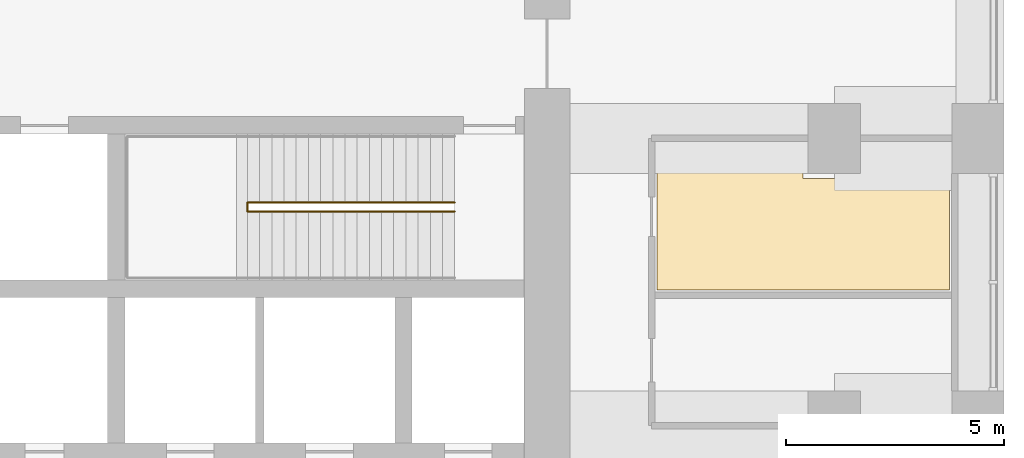
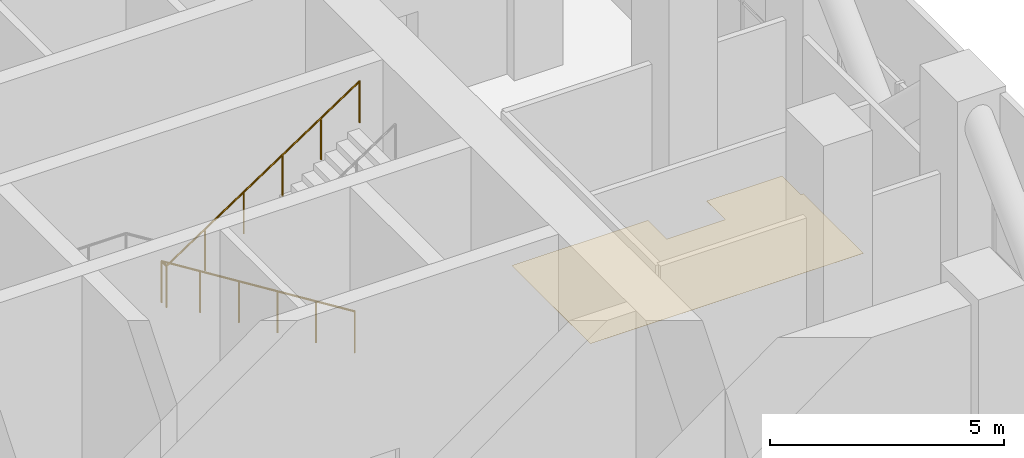
# One storey, part 15 of 15: 1 covering, 1 railing.
"""IFC4 building model written with IfcOpenShell, lengths in metres."""

from ifc_helpers import new_model, si_unit, direction, frame, origin, place, context, subcontext, project, spatial, polyline, outline, extrude, material, layer, layer_set, type_object, element, save


model = new_model("IFC4")

# Units and contexts
model_context = context("Model", 3, precision=1e-05, world=origin(), true_north=direction((0.0, 1.0)))
body_context = subcontext(model_context, "Body", "Model", "MODEL_VIEW")
ifc_project = project(units=[si_unit("LENGTHUNIT", "METRE"), si_unit("AREAUNIT", "SQUARE_METRE"), si_unit("VOLUMEUNIT", "CUBIC_METRE"), si_unit("PLANEANGLEUNIT", "RADIAN"), si_unit("MASSUNIT", "GRAM", prefix="KILO")], contexts=[model_context])

# Site, building, storey
site_placement = place(None, origin())
site = spatial("IfcSite", under=ifc_project, at=site_placement, CompositionType="ELEMENT")
building_placement = place(site_placement, origin())
building = spatial("IfcBuilding", under=site, at=building_placement, Name="Cobogo Forest Laboratory Tower", CompositionType="ELEMENT")
storey_placement = place(building_placement, frame((0.0, 0.0, 222.89990234375)))
storey = spatial("IfcBuildingStorey", under=building, at=storey_placement, Name="L51", CompositionType="ELEMENT", Elevation=222.89990234375)

# Railing
ifc_material_1 = material(Name="Steel balustrade", Category="steel")
railing_type = type_object("IfcRailingType", Name="GR stair guard 1100", PredefinedType="GUARDRAIL", material=ifc_material_1)
railing_placement = place(storey_placement, frame((37.47509765625, 24.929931640625, 0.175048828125)))
element("IfcRailing", 1, at=railing_placement, inside=storey, type_object=railing_type, Name="Stair guard ST2 L51", PredefinedType="GUARDRAIL", context=body_context, shape_type="SweptSolid", body=[
    extrude(outline(polyline([(0.022216796875, 0.00927734375), (0.00927734375, 0.022216796875), (-0.00927734375, 0.022216796875), (-0.022216796875, 0.00927734375), (-0.022216796875, -0.00927734375), (-0.00927734375, -0.022216796875), (0.00927734375, -0.022216796875), (0.022216796875, -0.00927734375), (0.022216796875, 0.00927734375)])), frame((0.0, 0.0, 1.077880859375), z_axis=(-0.847990973574, 0.0, 0.530010668512), x_axis=(0.0, -1.0, 0.0)), (0.0, 0.0, 1.0), 5.61328125),
    extrude(outline(polyline([(0.022216796875, 0.00927734375), (0.00927734375, 0.022216796875), (-0.00927734375, 0.022216796875), (-0.022216796875, 0.00927734375), (-0.022216796875, -0.00927734375), (-0.00927734375, -0.022216796875), (0.00927734375, -0.022216796875), (0.022216796875, -0.00927734375), (0.022216796875, 0.00927734375)])), frame((-4.760009765625, 0.0, 4.052978515625), z_axis=(0.0, -1.0, 0.0), x_axis=(1.0, 0.0, 0.0)), (0.0, 0.0, 1.0), 0.2099609375),
    extrude(outline(polyline([(0.022216796875, 0.00927734375), (0.00927734375, 0.022216796875), (-0.00927734375, 0.022216796875), (-0.022216796875, 0.00927734375), (-0.022216796875, -0.00927734375), (-0.00927734375, -0.022216796875), (0.00927734375, -0.022216796875), (0.022216796875, -0.00927734375), (0.022216796875, 0.00927734375)])), frame((-4.760009765625, -0.2099609375, 4.052978515625), z_axis=(0.833940600646, 0.0, 0.551854214983), x_axis=(0.0, 1.0, 0.0)), (0.0, 0.0, 1.0), 5.707763671875),
    extrude(outline(polyline([(0.019287109375, 0.008056640625), (0.008056640625, 0.019287109375), (-0.008056640625, 0.019287109375), (-0.019287109375, 0.008056640625), (-0.019287109375, -0.008056640625), (-0.008056640625, -0.019287109375), (0.008056640625, -0.019287109375), (0.019287109375, -0.008056640625), (0.019287109375, 0.008056640625)])), origin(), (0.0, 0.0, 1.0), 1.077880859375),
    extrude(outline(polyline([(0.019287109375, 0.008056640625), (0.008056640625, 0.019287109375), (-0.008056640625, 0.019287109375), (-0.019287109375, 0.008056640625), (-0.019287109375, -0.008056640625), (-0.008056640625, -0.019287109375), (0.008056640625, -0.019287109375), (0.019287109375, -0.008056640625), (0.019287109375, 0.008056640625)])), frame((-0.951904296875, 0.0, 0.594970703125)), (0.0, 0.0, 1.0), 1.077880859375),
    extrude(outline(polyline([(0.019287109375, 0.008056640625), (0.008056640625, 0.019287109375), (-0.008056640625, 0.019287109375), (-0.019287109375, 0.008056640625), (-0.019287109375, -0.008056640625), (-0.008056640625, -0.019287109375), (0.008056640625, -0.019287109375), (0.019287109375, -0.008056640625), (0.019287109375, 0.008056640625)])), frame((-1.904052734375, 0.0, 1.18994140625)), (0.0, 0.0, 1.0), 1.077880859375),
    extrude(outline(polyline([(0.019287109375, 0.008056640625), (0.008056640625, 0.019287109375), (-0.008056640625, 0.019287109375), (-0.019287109375, 0.008056640625), (-0.019287109375, -0.008056640625), (-0.008056640625, -0.019287109375), (0.008056640625, -0.019287109375), (0.019287109375, -0.008056640625), (0.019287109375, 0.008056640625)])), frame((-2.85595703125, 0.0, 1.78515625)), (0.0, 0.0, 1.0), 1.077880859375),
    extrude(outline(polyline([(0.019287109375, 0.008056640625), (0.008056640625, 0.019287109375), (-0.008056640625, 0.019287109375), (-0.019287109375, 0.008056640625), (-0.019287109375, -0.008056640625), (-0.008056640625, -0.019287109375), (0.008056640625, -0.019287109375), (0.019287109375, -0.008056640625), (0.019287109375, 0.008056640625)])), frame((-3.80810546875, 0.0, 2.380126953125)), (0.0, 0.0, 1.0), 1.077880859375),
    extrude(outline(polyline([(0.019287109375, 0.008056640625), (0.008056640625, 0.019287109375), (-0.008056640625, 0.019287109375), (-0.019287109375, 0.008056640625), (-0.019287109375, -0.008056640625), (-0.008056640625, -0.019287109375), (0.008056640625, -0.019287109375), (0.019287109375, -0.008056640625), (0.019287109375, 0.008056640625)])), frame((-4.760009765625, 0.0, 2.97509765625)), (0.0, 0.0, 1.0), 1.077880859375),
    extrude(outline(polyline([(0.019287109375, 0.008056640625), (0.008056640625, 0.019287109375), (-0.008056640625, 0.019287109375), (-0.019287109375, 0.008056640625), (-0.019287109375, -0.008056640625), (-0.008056640625, -0.019287109375), (0.008056640625, -0.019287109375), (0.019287109375, -0.008056640625), (0.019287109375, 0.008056640625)])), frame((-4.760009765625, -0.2099609375, 2.97509765625)), (0.0, 0.0, 1.0), 1.077880859375),
    extrude(outline(polyline([(0.019287109375, 0.008056640625), (0.008056640625, 0.019287109375), (-0.008056640625, 0.019287109375), (-0.019287109375, 0.008056640625), (-0.019287109375, -0.008056640625), (-0.008056640625, -0.019287109375), (0.008056640625, -0.019287109375), (0.019287109375, -0.008056640625), (0.019287109375, 0.008056640625)])), frame((-3.80810546875, -0.2099609375, 3.60498046875)), (0.0, 0.0, 1.0), 1.077880859375),
    extrude(outline(polyline([(0.019287109375, 0.008056640625), (0.008056640625, 0.019287109375), (-0.008056640625, 0.019287109375), (-0.019287109375, 0.008056640625), (-0.019287109375, -0.008056640625), (-0.008056640625, -0.019287109375), (0.008056640625, -0.019287109375), (0.019287109375, -0.008056640625), (0.019287109375, 0.008056640625)])), frame((-2.85595703125, -0.2099609375, 4.235107421875)), (0.0, 0.0, 1.0), 1.077880859375),
    extrude(outline(polyline([(0.019287109375, 0.008056640625), (0.008056640625, 0.019287109375), (-0.008056640625, 0.019287109375), (-0.019287109375, 0.008056640625), (-0.019287109375, -0.008056640625), (-0.008056640625, -0.019287109375), (0.008056640625, -0.019287109375), (0.019287109375, -0.008056640625), (0.019287109375, 0.008056640625)])), frame((-1.904052734375, -0.2099609375, 4.864990234375)), (0.0, 0.0, 1.0), 1.077880859375),
    extrude(outline(polyline([(0.019287109375, 0.008056640625), (0.008056640625, 0.019287109375), (-0.008056640625, 0.019287109375), (-0.019287109375, 0.008056640625), (-0.019287109375, -0.008056640625), (-0.008056640625, -0.019287109375), (0.008056640625, -0.019287109375), (0.019287109375, -0.008056640625), (0.019287109375, 0.008056640625)])), frame((-0.951904296875, -0.2099609375, 5.4951171875)), (0.0, 0.0, 1.0), 1.077880859375),
    extrude(outline(polyline([(0.019287109375, 0.008056640625), (0.008056640625, 0.019287109375), (-0.008056640625, 0.019287109375), (-0.019287109375, 0.008056640625), (-0.019287109375, -0.008056640625), (-0.008056640625, -0.019287109375), (0.008056640625, -0.019287109375), (0.019287109375, -0.008056640625), (0.019287109375, 0.008056640625)])), frame((0.0, -0.2099609375, 6.125)), (0.0, 0.0, 1.0), 1.077880859375),
])

# Covering
ifc_material_2 = material(Name="Static-dissipative vinyl flooring", Category="flooring")
ifc_layer = layer(ifc_material_2, 0.0029296875)
ifc_layer_set = layer_set([ifc_layer], Name="SD1 static-dissipative vinyl floor 3")
covering_type = type_object("IfcCoveringType", Name="SD1 static-dissipative vinyl floor 3", PredefinedType="FLOORING", material=ifc_layer_set)
covering_placement = place(storey_placement, origin())
element("IfcCovering", 2, at=covering_placement, inside=storey, type_object=covering_type, Name="Static-dissipative floor L51-10", PredefinedType="FLOORING", context=body_context, shape_type="SweptSolid", body=[
    extrude(outline(polyline([(42.1201171875, 26.280029296875), (45.47998046875, 26.280029296875), (45.47998046875, 25.47998046875), (46.919921875, 25.47998046875), (46.919921875, 26.280029296875), (48.780029296875, 26.280029296875), (48.780029296875, 25.47998046875), (48.844970703125, 25.47998046875), (48.844970703125, 22.919921875), (42.1201171875, 22.919921875), (42.1201171875, 26.280029296875)])), origin(), (0.0, 0.0, 1.0), 0.003173828125),
])

save(model, "model.ifc")
